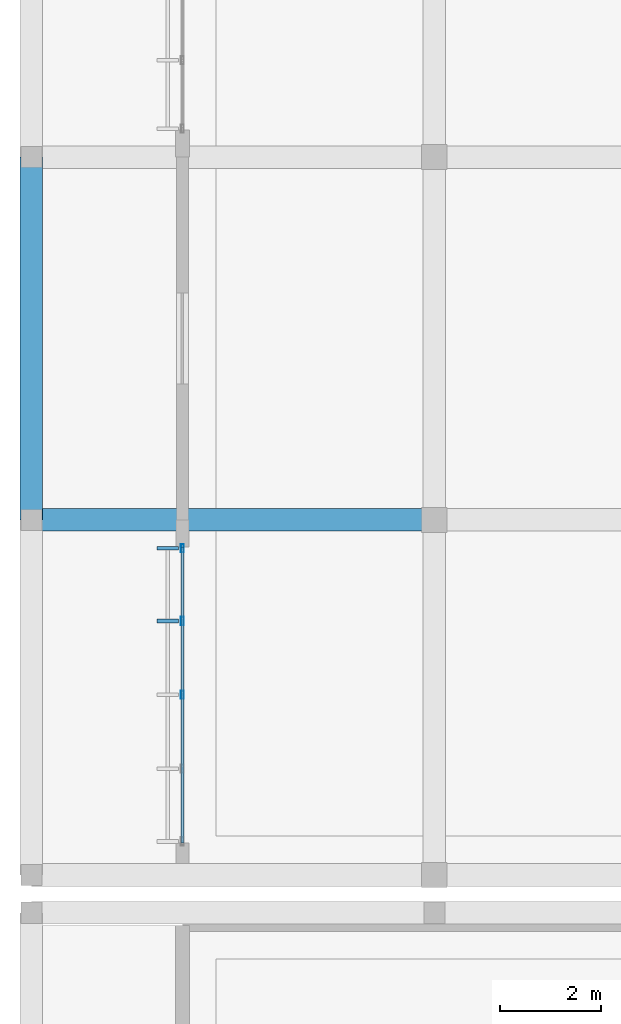
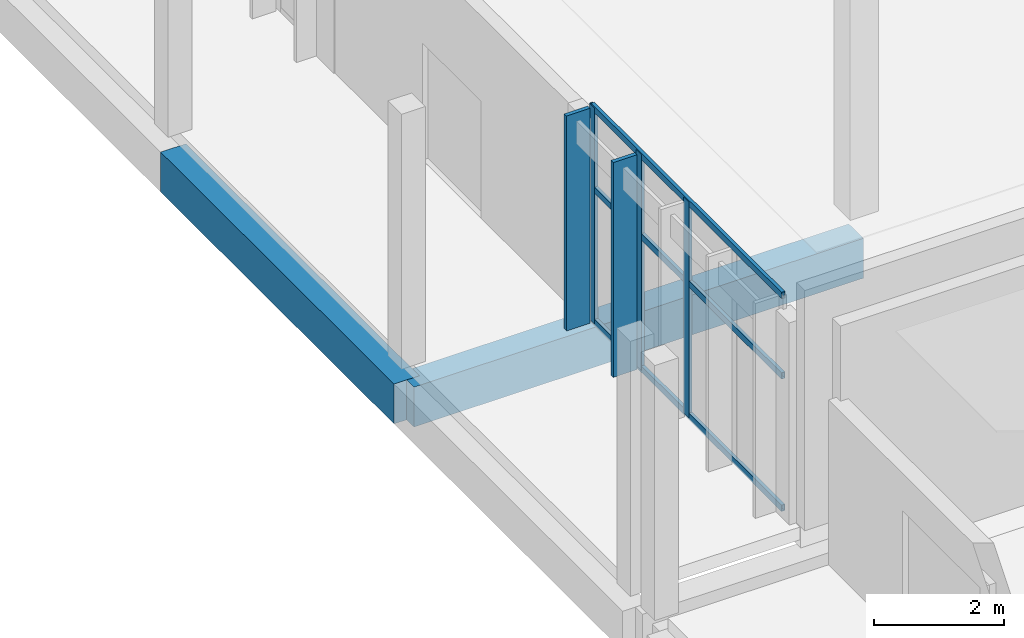
# One storey, part 25 of 151: 8 members, 2 beams, 1 element without a shape of its own.
"""IFC4 building model written with IfcOpenShell, lengths in metres."""

from ifc_helpers import new_model, si_unit, direction, frame, origin, origin_2d, place, context, subcontext, project, spatial, rectangle, hollow_rectangle, extrude, material, material_profile, profile_set, type_object, element, aggregate, save


model = new_model("IFC4")

# Units and contexts
model_context = context("Model", 3, precision=1e-05, world=origin(), true_north=direction((0.0, 1.0)))
body_context = subcontext(model_context, "Body", "Model", "MODEL_VIEW")
ifc_project = project(units=[si_unit("LENGTHUNIT", "METRE"), si_unit("AREAUNIT", "SQUARE_METRE"), si_unit("VOLUMEUNIT", "CUBIC_METRE"), si_unit("PLANEANGLEUNIT", "RADIAN"), si_unit("MASSUNIT", "GRAM", prefix="KILO")], contexts=[model_context])

# Site, building, storey
site_placement = place(None, origin())
site = spatial("IfcSite", under=ifc_project, at=site_placement, CompositionType="ELEMENT")
building_placement = place(site_placement, origin())
building = spatial("IfcBuilding", under=site, at=building_placement, Name="Chiffa Square Polytechnic", CompositionType="ELEMENT")
storey_placement = place(building_placement, origin())
storey = spatial("IfcBuildingStorey", under=building, at=storey_placement, Name="L00", CompositionType="ELEMENT", Elevation=0.0)

# Curtain wall, members
ifc_material_1 = material(Name="Aluminium EN AW-6060 T66 and glulam shading", Category="wood")
curtain_wall_type = type_object("IfcCurtainWallType", Name="CW-VERT-480X380", PredefinedType="USERDEFINED", material=ifc_material_1)
curtain_wall_placement = place(storey_placement, origin())
curtain_wall = element("IfcCurtainWall", 1, at=curtain_wall_placement, inside=storey, type_object=curtain_wall_type, Name="Curtain wall CW-V6-L00-254", ObjectType="CURTAIN WALL", PredefinedType="USERDEFINED")
ifc_material_2 = material(Name="Aluminium EN AW-6060 T66", Category="aluminium")
ifc_material_profile_1 = material_profile(ifc_material_2, hollow_rectangle(XDim=0.06005859375, YDim=0.159912109375, WallThickness=0.00390625, at=origin_2d()), Name="ALU 60x160x4")
ifc_profile_set_1 = profile_set([ifc_material_profile_1], Name="Aluminium EN AW-6060 T66")
member_type_1 = type_object("IfcMemberType", Name="CWM-ALU-65X150", PredefinedType="MULLION", material=ifc_profile_set_1)
member_1_placement = place(storey_placement, frame((3.0, 43.235107421875, 0.0), z_axis=(0.0, 0.0, 1.0), x_axis=(1.0, 0.0, 0.0)))
member_1 = element("IfcMember", 2, at=member_1_placement, type_object=member_type_1, Name="Curtain wall mullion CW-V6-L00-254-M00", PredefinedType="MULLION", context=body_context, shape_type="SweptSolid", body=[
    extrude(hollow_rectangle(XDim=0.06005859375, YDim=0.159912109375, WallThickness=0.00390625, at=origin_2d()), origin(), (0.0, 0.0, 1.0), 4.06494140625),
])
member_2_placement = place(storey_placement, frame((3.0, 41.7919921875, 0.0), z_axis=(0.0, 0.0, 1.0), x_axis=(1.0, 0.0, 0.0)))
member_2 = element("IfcMember", 3, at=member_2_placement, type_object=member_type_1, Name="Curtain wall mullion CW-V6-L00-254-M01", PredefinedType="MULLION", context=body_context, shape_type="SweptSolid", body=[
    extrude(hollow_rectangle(XDim=0.06005859375, YDim=0.159912109375, WallThickness=0.00390625, at=origin_2d()), origin(), (0.0, 0.0, 1.0), 4.06494140625),
])
member_3_placement = place(storey_placement, frame((3.0, 40.324951171875, 0.0), z_axis=(0.0, 0.0, 1.0), x_axis=(1.0, 0.0, 0.0)))
member_3 = element("IfcMember", 4, at=member_3_placement, type_object=member_type_1, Name="Curtain wall mullion CW-V6-L00-254-M02", PredefinedType="MULLION", context=body_context, shape_type="SweptSolid", body=[
    extrude(hollow_rectangle(XDim=0.06005859375, YDim=0.159912109375, WallThickness=0.00390625, at=origin_2d()), origin(), (0.0, 0.0, 1.0), 4.06494140625),
])
ifc_material_3 = material(Name="Glulam GL28h", Category="wood")
ifc_material_profile_2 = material_profile(ifc_material_3, rectangle(XDim=0.070068359375, YDim=0.419921875, at=origin_2d()), Name="GL28h 70x420")
ifc_profile_set_2 = profile_set([ifc_material_profile_2], Name="Glulam GL28h")
member_type_2 = type_object("IfcMemberType", Name="CWM-GL-70X420", PredefinedType="MULLION", material=ifc_profile_set_2)
member_4_placement = place(storey_placement, frame((2.7080078125, 43.235107421875, 0.010009765625), z_axis=(0.0, 0.0, 1.0), x_axis=(0.0, -1.0, 0.0)))
member_4 = element("IfcMember", 5, at=member_4_placement, type_object=member_type_2, Name="Exterior glulam solar fin CW-V6-L00-254-FN00", PredefinedType="MULLION", context=body_context, shape_type="SweptSolid", body=[
    extrude(rectangle(XDim=0.070068359375, YDim=0.419921875, at=origin_2d()), origin(), (0.0, 0.0, 1.0), 4.044921875),
])
member_5_placement = place(storey_placement, frame((2.7080078125, 41.7919921875, 0.010009765625), z_axis=(0.0, 0.0, 1.0), x_axis=(0.0, -1.0, 0.0)))
member_5 = element("IfcMember", 6, at=member_5_placement, type_object=member_type_2, Name="Exterior glulam solar fin CW-V6-L00-254-FN01", PredefinedType="MULLION", context=body_context, shape_type="SweptSolid", body=[
    extrude(rectangle(XDim=0.070068359375, YDim=0.419921875, at=origin_2d()), origin(), (0.0, 0.0, 1.0), 4.044921875),
])
ifc_material_profile_3 = material_profile(ifc_material_2, hollow_rectangle(XDim=0.06005859375, YDim=0.1201171875, WallThickness=0.00390625, at=origin_2d()), Name="ALU 60x120x4")
ifc_profile_set_3 = profile_set([ifc_material_profile_3], Name="Aluminium EN AW-6060 T66")
member_type_3 = type_object("IfcMemberType", Name="CWT-ALU-65X120", PredefinedType="USERDEFINED", material=ifc_profile_set_3)
member_6_placement = place(storey_placement, frame((3.0, 43.261962890625, 0.030029296875), z_axis=(0.0, -1.0, 0.0), x_axis=(1.0, 0.0, 0.0)))
member_6 = element("IfcMember", 7, at=member_6_placement, type_object=member_type_3, Name="Curtain wall transom CW-V6-L00-254-T01", ObjectType="TRANSOM", PredefinedType="USERDEFINED", context=body_context, shape_type="SweptSolid", body=[
    extrude(hollow_rectangle(XDim=0.06005859375, YDim=0.1201171875, WallThickness=0.00390625, at=origin_2d()), origin(), (0.0, 0.0, 1.0), 5.8740234375),
])
member_7_placement = place(storey_placement, frame((3.0, 43.261962890625, 2.52001953125), z_axis=(0.0, -1.0, 0.0), x_axis=(1.0, 0.0, 0.0)))
member_7 = element("IfcMember", 8, at=member_7_placement, type_object=member_type_3, Name="Curtain wall transom CW-V6-L00-254-T02", ObjectType="TRANSOM", PredefinedType="USERDEFINED", context=body_context, shape_type="SweptSolid", body=[
    extrude(hollow_rectangle(XDim=0.06005859375, YDim=0.1201171875, WallThickness=0.00390625, at=origin_2d()), origin(), (0.0, 0.0, 1.0), 5.8740234375),
])
member_8_placement = place(storey_placement, frame((3.0, 43.261962890625, 4.034912109375), z_axis=(0.0, -1.0, 0.0), x_axis=(1.0, 0.0, 0.0)))
member_8 = element("IfcMember", 9, at=member_8_placement, type_object=member_type_3, Name="Curtain wall transom CW-V6-L00-254-T03", ObjectType="TRANSOM", PredefinedType="USERDEFINED", context=body_context, shape_type="SweptSolid", body=[
    extrude(hollow_rectangle(XDim=0.06005859375, YDim=0.1201171875, WallThickness=0.00390625, at=origin_2d()), origin(), (0.0, 0.0, 1.0), 5.8740234375),
])
aggregate(curtain_wall, [member_1, member_4, member_2, member_5, member_3, member_6, member_7, member_8])

# Beams
ifc_material_4 = material(Name="Concrete C35/45", Category="concrete")
ifc_material_profile_4 = material_profile(ifc_material_4, rectangle(XDim=0.449951171875, YDim=0.75, at=origin_2d()), Name="RC 450x750")
ifc_profile_set_4 = profile_set([ifc_material_profile_4], Name="Concrete C35/45")
beam_type = type_object("IfcBeamType", Name="GB-RC-450X750", PredefinedType="BEAM", material=ifc_profile_set_4)
beam_1_placement = place(storey_placement, frame((0.0, 43.800048828125, -0.77490234375), z_axis=(1.0, 0.0, 0.0), x_axis=(0.0, 1.0, 0.0)))
element("IfcBeam", 10, at=beam_1_placement, inside=storey, type_object=beam_type, Name="Ground tie beam GB-V6-X-151", PredefinedType="BEAM", context=body_context, shape_type="SweptSolid", body=[
    extrude(rectangle(XDim=0.449951171875, YDim=0.75, at=origin_2d()), origin(), (0.0, 0.0, 1.0), 8.0),
])
beam_2_placement = place(storey_placement, frame((0.0, 43.800048828125, -0.77490234375), z_axis=(0.0, 1.0, 0.0), x_axis=(-1.0, 0.0, 0.0)))
element("IfcBeam", 11, at=beam_2_placement, inside=storey, type_object=beam_type, Name="Ground tie beam GB-V6-Y-196", PredefinedType="BEAM", context=body_context, shape_type="SweptSolid", body=[
    extrude(rectangle(XDim=0.449951171875, YDim=0.75, at=origin_2d()), origin(), (0.0, 0.0, 1.0), 7.199951171875),
])

save(model, "model.ifc")
